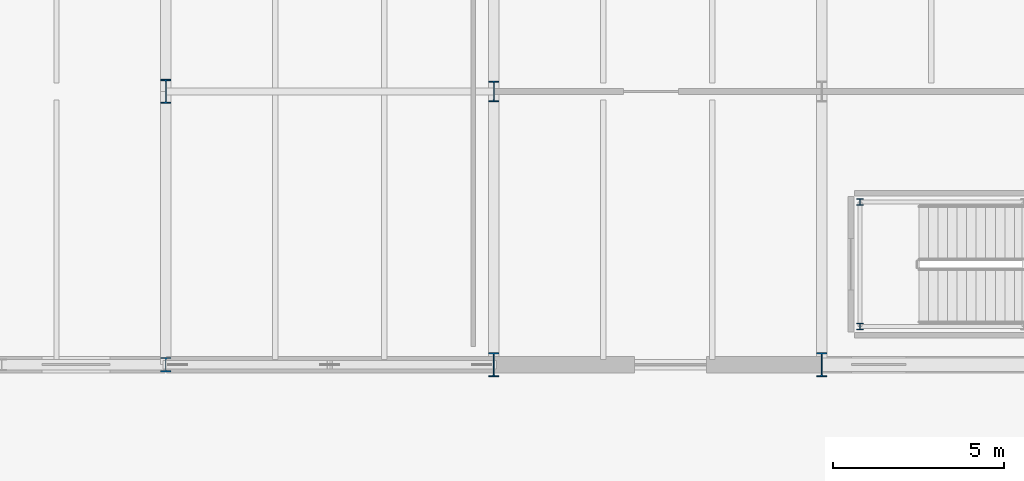
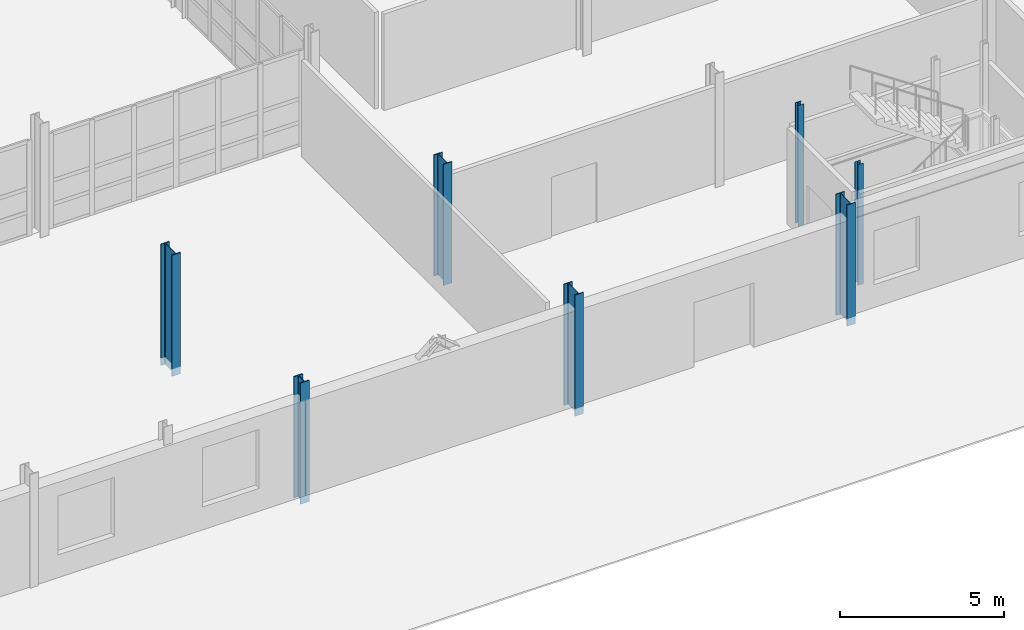
# One storey, part 22 of 78: 7 columns.
"""IFC4 building model written with IfcOpenShell, lengths in metres."""

import ifcopenshell
import ifcopenshell.guid

model = None  # the IFC model being written
_history = None  # IfcOwnerHistory: only IFC2X3 demands one
_inside = {}  # id of a spatial element -> (the spatial element, [elements in it])
_under = {}  # id of a project, library or spatial element -> (it, [spatial elements below it])
_declared = {}  # id of a project -> (the project, [libraries it declares])
_typed = {}  # id of a type object -> (the type object, [elements of that type])
_made_of = {}  # id of a material, layer set ... -> (it, [elements and type objects made of it])


def new_model(schema):
    """Start an empty IFC model of exactly this schema.

    Asked for "IFC4X3", IfcOpenShell would pick the latest addendum, in which some entities
    have other attributes; the version numbers below select the first issue.
    IFC2X3 requires an IfcOwnerHistory on every rooted entity: one is made here for all.
    """
    global model, _history
    if schema == "IFC4X3":
        model = ifcopenshell.file(schema_version=(4, 3, 0, 0))
    else:
        model = ifcopenshell.file(schema=schema)
    _inside.clear()
    _under.clear()
    _declared.clear()
    _typed.clear()
    _made_of.clear()
    _history = None
    if model.schema == "IFC2X3":
        org = make("IfcOrganization", Name="unknown")
        user = make(
            "IfcPersonAndOrganization",
            ThePerson=make("IfcPerson", FamilyName="unknown"),
            TheOrganization=org,
        )
        app = make(
            "IfcApplication",
            ApplicationDeveloper=org,
            Version="unknown",
            ApplicationFullName="unknown",
            ApplicationIdentifier="unknown",
        )
        _history = make(
            "IfcOwnerHistory",
            OwningUser=user,
            OwningApplication=app,
            ChangeAction="ADDED",
            CreationDate=0,
        )
    return model


def make(cls, **values):
    """One entity of the class cls with the attributes given. An attribute that is None is left unset."""
    return model.create_entity(
        cls, **{name: value for name, value in values.items() if value is not None}
    )


def rooted(cls, **values):
    """An entity with a GlobalId (a new one), such as an element, a storey or a relation."""
    return make(cls, GlobalId=ifcopenshell.guid.new(), OwnerHistory=_history, **values)


def si_unit(unit_type, name, prefix=None):
    """IfcSIUnit, for example si_unit("LENGTHUNIT", "METRE", prefix="MILLI")."""
    return make("IfcSIUnit", UnitType=unit_type, Prefix=prefix, Name=name)


def assignment(units):
    """IfcUnitAssignment: the units of a project."""
    return None if units is None else make("IfcUnitAssignment", Units=units)


def point(xyz):
    """IfcCartesianPoint."""
    return None if xyz is None else make("IfcCartesianPoint", Coordinates=xyz)


def direction(xyz):
    """IfcDirection."""
    return None if xyz is None else make("IfcDirection", DirectionRatios=xyz)


def frame(location, z_axis=None, x_axis=None):
    """IfcAxis2Placement3D, a coordinate frame: its origin and axes. An axis left out is left unset."""
    return make(
        "IfcAxis2Placement3D",
        Location=point(location),
        Axis=direction(z_axis),
        RefDirection=direction(x_axis),
    )


def frame_2d(location, x_axis=None):
    """IfcAxis2Placement2D, a coordinate frame in the plane: its origin and x axis."""
    return make(
        "IfcAxis2Placement2D", Location=point(location), RefDirection=direction(x_axis)
    )


def origin():
    """The frame at (0, 0, 0) with its axes left unset."""
    return frame((0.0, 0.0, 0.0))


def origin_2d():
    """The frame at (0, 0) in the plane with its x axis left unset."""
    return frame_2d((0.0, 0.0))


def place(relative_to, where):
    """IfcLocalPlacement: puts the frame where relative to a parent placement (None: the world)."""
    return make(
        "IfcLocalPlacement", PlacementRelTo=relative_to, RelativePlacement=where
    )


def context(
    kind, dimensions, precision=None, world=None, true_north=None, identifier=None
):
    """IfcGeometricRepresentationContext, for example the 3D "Model" context."""
    return make(
        "IfcGeometricRepresentationContext",
        ContextIdentifier=identifier,
        ContextType=kind,
        CoordinateSpaceDimension=dimensions,
        Precision=precision,
        WorldCoordinateSystem=world,
        TrueNorth=true_north,
    )


def subcontext(parent, identifier, kind, view, scale=None):
    """IfcGeometricRepresentationSubContext, for example "Body" below "Model"."""
    return make(
        "IfcGeometricRepresentationSubContext",
        ContextIdentifier=identifier,
        ContextType=kind,
        ParentContext=parent,
        TargetScale=scale,
        TargetView=view,
    )


def project(units=None, contexts=None):
    """IfcProject with its units and contexts."""
    return rooted(
        "IfcProject",
        Name="project",
        RepresentationContexts=contexts,
        UnitsInContext=assignment(units),
    )


def spatial(cls, under=None, at=None, **own):
    """A site, building, storey or space (cls), placed at a placement, below another one or the project."""
    s = rooted(cls, ObjectPlacement=at, **own)
    if under is not None:
        _under.setdefault(under.id(), (under, []))[1].append(s)
    return s


def profile(cls, at=None, kind="AREA", **sizes):
    """A parametric profile (cls). Its sizes go by their IFC names, for example OverallWidth=200.0."""
    return make(cls, ProfileType=kind, Position=at, **sizes)


def i_section(**sizes):
    """IfcIShapeProfileDef."""
    return profile("IfcIShapeProfileDef", **sizes)


def extrude(swept, where, along, depth):
    """IfcExtrudedAreaSolid: the profile swept, set in the frame where, extruded along a direction by depth."""
    return make(
        "IfcExtrudedAreaSolid",
        SweptArea=swept,
        Position=where,
        ExtrudedDirection=direction(along),
        Depth=depth,
    )


def shape(context_of_items, identifier, shape_type, items):
    """IfcShapeRepresentation: the items that make up one representation, for example the "Body"."""
    return make(
        "IfcShapeRepresentation",
        ContextOfItems=context_of_items,
        RepresentationIdentifier=identifier,
        RepresentationType=shape_type,
        Items=items,
    )


def material(Name=None, Category=None):
    """IfcMaterial."""
    return make("IfcMaterial", Name=Name, Category=Category)


def material_profile(
    of_material, cross_section, Name=None, Category=None, Priority=None
):
    """IfcMaterialProfile: a cross section and its material."""
    return make(
        "IfcMaterialProfile",
        Name=Name,
        Material=of_material,
        Profile=cross_section,
        Priority=Priority,
        Category=Category,
    )


def profile_set(profiles, Name=None, composite=None):
    """IfcMaterialProfileSet."""
    return make(
        "IfcMaterialProfileSet",
        Name=Name,
        MaterialProfiles=profiles,
        CompositeProfile=composite,
    )


def made_of(thing, what):
    """Note that an element or type object is made of a material, layer set ...; save() writes the relation."""
    if what is not None:
        _made_of.setdefault(what.id(), (what, []))[1].append(thing)
    return thing


def type_object(cls, material=None, **own):
    """A type object (cls), such as IfcWallType, which elements share."""
    return made_of(rooted(cls, **own), material)


def element(
    cls,
    number,
    at=None,
    inside=None,
    cuts=None,
    type_object=None,
    material=None,
    context=None,
    identifier="Body",
    shape_type=None,
    held_by="IfcProductDefinitionShape",
    body=None,
    shapes=None,
    **own,
):
    """One element of the class cls, such as IfcWall. Its Tag is "e" and its number.

    at: its placement. inside: the storey or other place that contains it. cuts: it is an
    opening in that element (IfcRelVoidsElement). A single representation is given by context,
    identifier, shape_type and body (its items); several are given by shapes. held_by: the class
    of the entity that holds the representations. save() writes the other relations.
    """
    e = rooted(cls, Tag="e%d" % number, ObjectPlacement=at, **own)
    if body is not None:
        shapes = [shape(context, identifier, shape_type, body)]
    if shapes is not None:
        e.Representation = make(held_by, Representations=shapes)
    if inside is not None:
        _inside.setdefault(inside.id(), (inside, []))[1].append(e)
    if cuts is not None:
        rooted(
            "IfcRelVoidsElement", RelatingBuildingElement=cuts, RelatedOpeningElement=e
        )
    if type_object is not None:
        _typed.setdefault(type_object.id(), (type_object, []))[1].append(e)
    return made_of(e, material)


def aggregate(whole, parts):
    """IfcRelAggregates: a whole, such as a stair, and the parts it consists of."""
    return rooted("IfcRelAggregates", RelatingObject=whole, RelatedObjects=parts)


def save(model, path):
    """Write the relations noted so far, then the file.

    IfcRelAggregates (storeys below a building ...), IfcRelContainedInSpatialStructure (elements
    in a storey), IfcRelDefinesByType, IfcRelAssociatesMaterial and IfcRelDeclares: one each for
    every whole, place, type object, material and project.
    """
    for whole, parts in _under.values():
        aggregate(whole, parts)
    for where, things in _inside.values():
        rooted(
            "IfcRelContainedInSpatialStructure",
            RelatedElements=things,
            RelatingStructure=where,
        )
    for kind, things in _typed.values():
        rooted("IfcRelDefinesByType", RelatedObjects=things, RelatingType=kind)
    for what, things in _made_of.values():
        rooted("IfcRelAssociatesMaterial", RelatedObjects=things, RelatingMaterial=what)
    for by, libraries in _declared.values():
        rooted("IfcRelDeclares", RelatingContext=by, RelatedDefinitions=libraries)
    model.write(path)


model = new_model("IFC4")

# Units and contexts
model_context = context("Model", 3, precision=1e-05, world=origin(), true_north=direction((0.0, 1.0)))
body_context = subcontext(model_context, "Body", "Model", "MODEL_VIEW")
ifc_project = project(units=[si_unit("LENGTHUNIT", "METRE"), si_unit("AREAUNIT", "SQUARE_METRE"), si_unit("VOLUMEUNIT", "CUBIC_METRE"), si_unit("PLANEANGLEUNIT", "RADIAN"), si_unit("MASSUNIT", "GRAM", prefix="KILO")], contexts=[model_context])

# Site, building, storey
site_placement = place(None, origin())
site = spatial("IfcSite", under=ifc_project, at=site_placement, CompositionType="ELEMENT")
building_placement = place(site_placement, origin())
building = spatial("IfcBuilding", under=site, at=building_placement, Name="Alderhovde Museum", CompositionType="ELEMENT")
storey_placement = place(building_placement, origin())
storey = spatial("IfcBuildingStorey", under=building, at=storey_placement, Name="L00", CompositionType="ELEMENT", Elevation=0.0)

# Columns
ifc_material_1 = material(Name="Steel S355J2", Category="steel")
ifc_material_profile_1 = material_profile(ifc_material_1, i_section(OverallWidth=0.199951171875, OverallDepth=0.18994140625, WebThickness=0.006591796875, FlangeThickness=0.010009765625, FilletRadius=0.01806640625, at=origin_2d()), Name="HEA 200")
ifc_profile_set_1 = profile_set([ifc_material_profile_1], Name="Steel S355J2")
column_type_1 = type_object("IfcColumnType", Name="COL-HEA200", PredefinedType="COLUMN", material=ifc_profile_set_1)
for number, where, z_axis, x_axis, name in (
    (1, (154.719970703125, 33.1201171875, 0.0), (0.0, 0.0, 1.0), (1.0, 0.0, 0.0), "L00 Stair ST7 Shaft Column 1"),
    (2, (154.719970703125, 36.760009765625, 0.0), (0.0, 0.0, 1.0), (1.0, 0.0, 0.0), "L00 Stair ST7 Shaft Column 4"),
):
    element("IfcColumn", number, at=place(storey_placement, frame(where, z_axis=z_axis, x_axis=x_axis)), inside=storey, type_object=column_type_1, Name=name, PredefinedType="COLUMN", context=body_context, shape_type="SweptSolid", body=[
        extrude(i_section(OverallWidth=0.199951171875, OverallDepth=0.18994140625, WebThickness=0.006591796875, FlangeThickness=0.010009765625, FilletRadius=0.01806640625, at=origin_2d()), origin(), (0.0, 0.0, 1.0), 4.5),
    ])
ifc_material_2 = material(Name="Steel S355J2", Category="steel")
ifc_material_profile_2 = material_profile(ifc_material_2, i_section(OverallWidth=0.300048828125, OverallDepth=0.60009765625, WebThickness=0.015380859375, FlangeThickness=0.030029296875, FilletRadius=0.027099609375, at=origin_2d()), Name="HEB 600")
ifc_profile_set_2 = profile_set([ifc_material_profile_2], Name="Steel S355J2")
column_type_2 = type_object("IfcColumnType", Name="COL-HEB600", PredefinedType="COLUMN", material=ifc_profile_set_2)
column_1_placement = place(storey_placement, frame((144.0, 40.0, -0.280029296875), z_axis=(0.0, 0.0, 1.0), x_axis=(1.0, 0.0, 0.0)))
element("IfcColumn", 3, at=column_1_placement, inside=storey, type_object=column_type_2, Name="L00 Column (144.0, 40.0)", PredefinedType="COLUMN", context=body_context, shape_type="SweptSolid", body=[
    extrude(i_section(OverallWidth=0.300048828125, OverallDepth=0.60009765625, WebThickness=0.015380859375, FlangeThickness=0.030029296875, FilletRadius=0.027099609375, at=origin_2d()), origin(), (0.0, 0.0, 1.0), 4.52001953125),
])
ifc_material_3 = material(Name="Steel S355J2", Category="steel")
ifc_material_profile_3 = material_profile(ifc_material_3, i_section(OverallWidth=0.300048828125, OverallDepth=0.699951171875, WebThickness=0.01708984375, FlangeThickness=0.031982421875, FilletRadius=0.027099609375, at=origin_2d()), Name="HEB 700")
ifc_profile_set_3 = profile_set([ifc_material_profile_3], Name="Steel S355J2")
column_type_3 = type_object("IfcColumnType", Name="COL-HEB700", PredefinedType="COLUMN", material=ifc_profile_set_3)
for number, where, z_axis, x_axis, name in (
    (4, (134.39990234375, 40.0, -0.280029296875), (0.0, 0.0, 1.0), (1.0, 0.0, 0.0), "L00 Column (134.4, 40.0)"),
    (5, (144.0, 32.0, -0.280029296875), (0.0, 0.0, 1.0), (1.0, 0.0, 0.0), "L00 Column (144.0, 32.0)"),
    (6, (153.60009765625, 32.0, -0.280029296875), (0.0, 0.0, 1.0), (1.0, 0.0, 0.0), "L00 Column (153.6, 32.0)"),
):
    element("IfcColumn", number, at=place(storey_placement, frame(where, z_axis=z_axis, x_axis=x_axis)), inside=storey, type_object=column_type_3, Name=name, PredefinedType="COLUMN", context=body_context, shape_type="SweptSolid", body=[
        extrude(i_section(OverallWidth=0.300048828125, OverallDepth=0.699951171875, WebThickness=0.01708984375, FlangeThickness=0.031982421875, FilletRadius=0.027099609375, at=origin_2d()), origin(), (0.0, 0.0, 1.0), 4.52001953125),
    ])
ifc_material_4 = material(Name="Steel S355J2", Category="steel")
ifc_material_profile_4 = material_profile(ifc_material_4, i_section(OverallWidth=0.306884765625, OverallDepth=0.431884765625, WebThickness=0.02099609375, FlangeThickness=0.0400390625, FilletRadius=0.027099609375, at=origin_2d()), Name="HEM 400")
ifc_profile_set_4 = profile_set([ifc_material_profile_4], Name="Steel S355J2")
column_type_4 = type_object("IfcColumnType", Name="COL-HEM400", PredefinedType="COLUMN", material=ifc_profile_set_4)
column_2_placement = place(storey_placement, frame((134.39990234375, 32.0, -0.280029296875), z_axis=(0.0, 0.0, 1.0), x_axis=(1.0, 0.0, 0.0)))
element("IfcColumn", 7, at=column_2_placement, inside=storey, type_object=column_type_4, Name="L00 Column (134.4, 32.0)", PredefinedType="COLUMN", context=body_context, shape_type="SweptSolid", body=[
    extrude(i_section(OverallWidth=0.306884765625, OverallDepth=0.431884765625, WebThickness=0.02099609375, FlangeThickness=0.0400390625, FilletRadius=0.027099609375, at=origin_2d()), origin(), (0.0, 0.0, 1.0), 4.52001953125),
])

save(model, "model.ifc")
